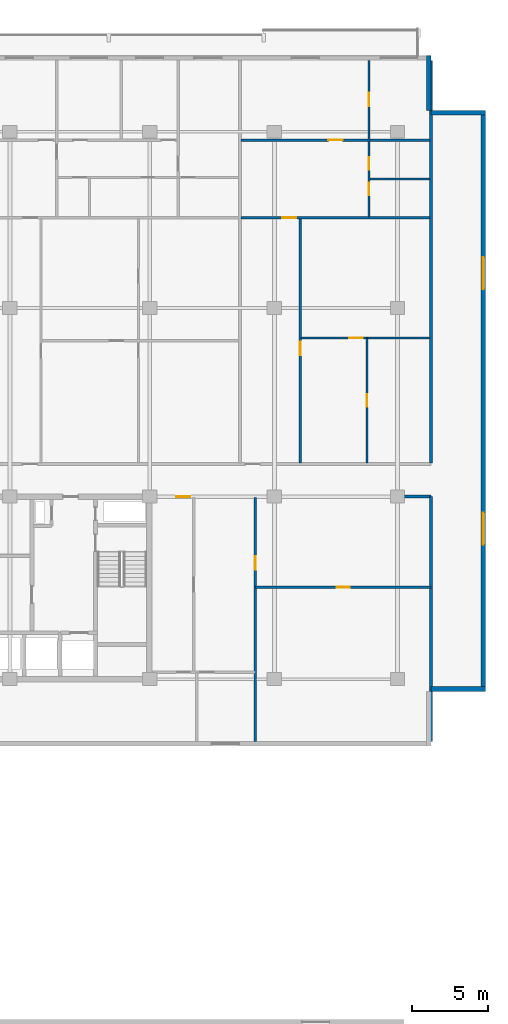
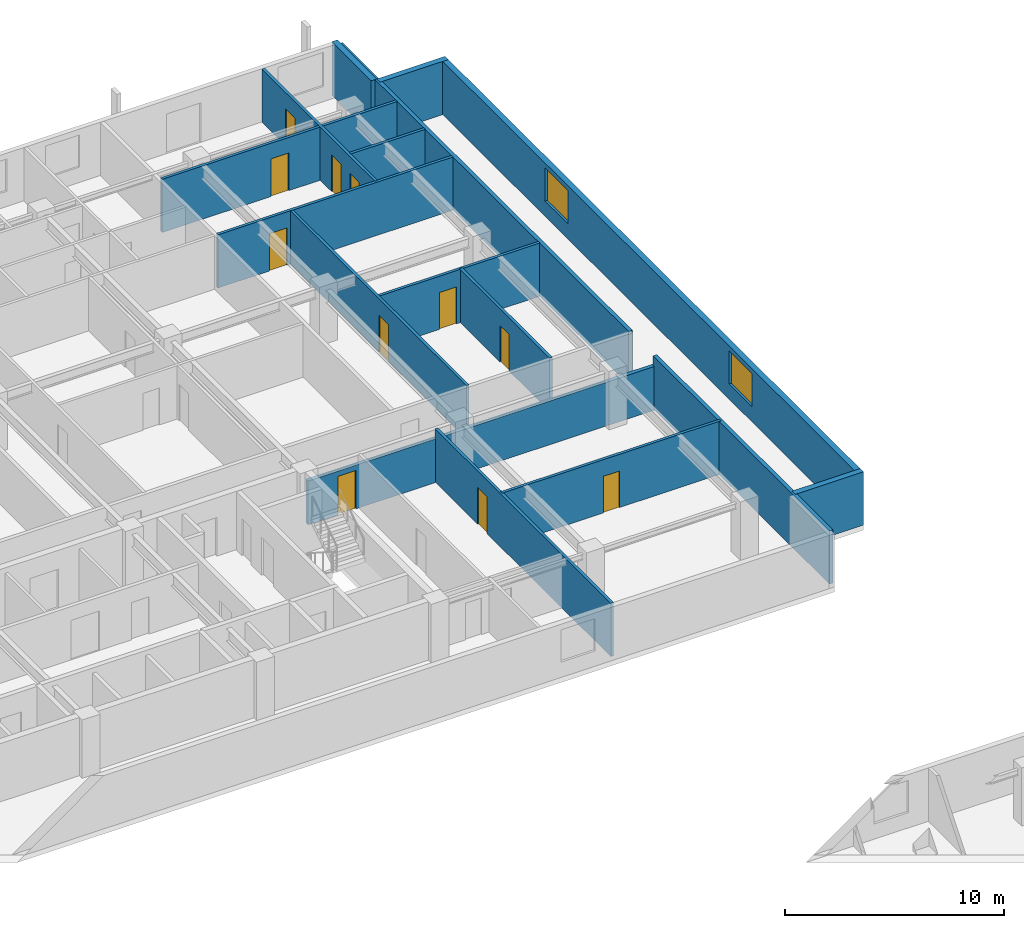
# One storey, part 16 of 22: 16 walls, 11 doors, 2 windows, 13 openings.
"""IFC4 building model written with IfcOpenShell, lengths in metres."""

from ifc_helpers import new_model, si_unit, direction, frame, frame_2d, origin, place, context, subcontext, project, spatial, rectangle, extrude, material, layer, layer_set, type_object, element, fill, save


model = new_model("IFC4")

# Units and contexts
model_context = context("Model", 3, precision=1e-05, world=origin(), true_north=direction((0.0, 1.0)))
body_context = subcontext(model_context, "Body", "Model", "MODEL_VIEW")
ifc_project = project(units=[si_unit("LENGTHUNIT", "METRE"), si_unit("AREAUNIT", "SQUARE_METRE"), si_unit("VOLUMEUNIT", "CUBIC_METRE"), si_unit("PLANEANGLEUNIT", "RADIAN"), si_unit("MASSUNIT", "GRAM", prefix="KILO")], contexts=[model_context])

# Site, building, storey
site_placement = place(None, origin())
site = spatial("IfcSite", under=ifc_project, at=site_placement, CompositionType="ELEMENT")
building_placement = place(site_placement, origin())
building = spatial("IfcBuilding", under=site, at=building_placement, Name="Korimba Cascade Residences", CompositionType="ELEMENT")
storey_placement = place(building_placement, frame((0.0, 0.0, 87.300048828125)))
storey = spatial("IfcBuildingStorey", under=building, at=storey_placement, Name="L24", CompositionType="ELEMENT", Elevation=87.300048828125)

# Wall
ifc_material_1 = material(Name="Precast concrete C40/50", Category="concrete")
ifc_layer_1 = layer(ifc_material_1, 0.300048828125)
ifc_layer_set_1 = layer_set([ifc_layer_1], Name="Precast concrete C40/50")
wall_type_1 = type_object("IfcWallType", Name="EW-STONE-300", PredefinedType="STANDARD", material=ifc_layer_set_1)
wall_1_placement = place(storey_placement, frame((130.60009765625, 54.550048828125, 0.0), z_axis=(0.0, 0.0, 1.0), x_axis=(1.0, 0.0, 0.0)))
element("IfcWall", 1, at=wall_1_placement, inside=storey, type_object=wall_type_1, Name="L24 T1 Perimeter Stone Wall E02", PredefinedType="STANDARD", context=body_context, shape_type="SweptSolid", body=[
    extrude(rectangle(XDim=3.599853515625, YDim=0.300048828125, at=frame_2d((1.7998046875, 0.0))), origin(), (0.0, 0.0, 1.0), 2.969970703125),
])

# Wall, openings, windows
wall_2_placement = place(storey_placement, frame((134.050048828125, 54.39990234375, 0.0), z_axis=(0.0, 0.0, 1.0), x_axis=(0.0, 1.0, 0.0)))
wall_2 = element("IfcWall", 2, at=wall_2_placement, inside=storey, type_object=wall_type_1, Name="L24 T1 Perimeter Stone Wall E03", PredefinedType="STANDARD", context=body_context, shape_type="SweptSolid", body=[
    extrude(rectangle(XDim=38.2001953125, YDim=0.300048828125, at=frame_2d((19.10009765625, 0.0))), origin(), (0.0, 0.0, 1.0), 2.969970703125),
])
opening_1_placement = place(wall_2_placement, frame((9.64599609375, 0.0, 0.85009765625)))
opening_1 = element("IfcOpeningElement", 3, at=opening_1_placement, cuts=wall_2, Name="Opening W-03", PredefinedType="OPENING", context=body_context, shape_type="SweptSolid", body=[
    extrude(rectangle(XDim=2.10009765625, YDim=1.85009765625, at=frame_2d((1.050048828125, 0.925048828125))), frame((0.0, 0.16015625, 0.0), z_axis=(0.0, -1.0, 0.0), x_axis=(1.0, 0.0, 0.0)), (0.0, 0.0, 1.0), 0.320068359375),
])
opening_2_placement = place(wall_2_placement, frame((26.4541015625, 0.0, 0.85009765625)))
opening_2 = element("IfcOpeningElement", 4, at=opening_2_placement, cuts=wall_2, Name="Opening W-03", PredefinedType="OPENING", context=body_context, shape_type="SweptSolid", body=[
    extrude(rectangle(XDim=2.10009765625, YDim=1.85009765625, at=frame_2d((1.050048828125, 0.925048828125))), frame((0.0, 0.16015625, 0.0), z_axis=(0.0, -1.0, 0.0), x_axis=(1.0, 0.0, 0.0)), (0.0, 0.0, 1.0), 0.320068359375),
])
ifc_material_2 = material(Name="Double-Glazed Aluminium Window", Category="aluminium")
window_type = type_object("IfcWindowType", Name="WIN-CRN-2100", PartitioningType="DOUBLE_PANEL_HORIZONTAL", PredefinedType="WINDOW", material=ifc_material_2)
window_1_placement = place(opening_1_placement, origin())
window_1 = element("IfcWindow", 5, at=window_1_placement, inside=storey, type_object=window_type, Name="L24 T1 End View Window 3.1", OverallHeight=1.85009765625, OverallWidth=2.10009765625, PartitioningType="DOUBLE_PANEL_HORIZONTAL", PredefinedType="WINDOW", context=body_context, shape_type="SweptSolid", body=[
    extrude(rectangle(XDim=2.10009765625, YDim=1.85009765625, at=frame_2d((1.050048828125, 0.925048828125))), frame((0.0, 0.030029296875, 0.0), z_axis=(0.0, -1.0, 0.0), x_axis=(1.0, 0.0, 0.0)), (0.0, 0.0, 1.0), 0.06005859375),
])
fill(opening_1, window_1)
window_2_placement = place(opening_2_placement, origin())
window_2 = element("IfcWindow", 6, at=window_2_placement, inside=storey, type_object=window_type, Name="L24 T1 End View Window 3.2", OverallHeight=1.85009765625, OverallWidth=2.10009765625, PartitioningType="DOUBLE_PANEL_HORIZONTAL", PredefinedType="WINDOW", context=body_context, shape_type="SweptSolid", body=[
    extrude(rectangle(XDim=2.10009765625, YDim=1.85009765625, at=frame_2d((1.050048828125, 0.925048828125))), frame((0.0, 0.030029296875, 0.0), z_axis=(0.0, -1.0, 0.0), x_axis=(1.0, 0.0, 0.0)), (0.0, 0.0, 1.0), 0.06005859375),
])
fill(opening_2, window_2)

# Walls
for number, where, z_axis, x_axis, name in (
    (7, (134.199951171875, 92.449951171875, 0.0), (0.0, 0.0, 1.0), (-1.0, 0.0, 0.0), "L24 T1 Perimeter Stone Wall E04"),
    (8, (130.449951171875, 92.60009765625, 0.0), (0.0, 0.0, 1.0), (0.0, 1.0, 0.0), "L24 T1 Perimeter Stone Wall E05"),
):
    element("IfcWall", number, at=place(storey_placement, frame(where, z_axis=z_axis, x_axis=x_axis)), inside=storey, type_object=wall_type_1, Name=name, PredefinedType="STANDARD", context=body_context, shape_type="SweptSolid", body=[
        extrude(rectangle(XDim=3.599853515625, YDim=0.300048828125, at=frame_2d((1.7998046875, 0.0))), origin(), (0.0, 0.0, 1.0), 2.969970703125),
    ])
ifc_layer_2 = layer(ifc_material_1, 0.199951171875)
ifc_layer_set_2 = layer_set([ifc_layer_2], Name="Precast concrete C40/50")
wall_type_2 = type_object("IfcWallType", Name="WAL-IT-200", PredefinedType="PARTITIONING", material=ifc_layer_set_2)
wall_3_placement = place(storey_placement, frame((130.60009765625, 51.10009765625, 0.0), z_axis=(0.0, 0.0, 1.0), x_axis=(0.0, 1.0, 0.0)))
element("IfcWall", 9, at=wall_3_placement, inside=storey, type_object=wall_type_2, Name="L24 Partition Wall WAL-L24-T1-FE-WR", PredefinedType="PARTITIONING", context=body_context, shape_type="SweptSolid", body=[
    extrude(rectangle(XDim=16.099853515625, YDim=0.199951171875, at=frame_2d((8.0498046875, 0.0))), origin(), (0.0, 0.0, 1.0), 2.969970703125),
])

# Wall, opening, door
wall_4_placement = place(storey_placement, frame((112.25, 67.199951171875, 0.0), z_axis=(0.0, 0.0, 1.0), x_axis=(1.0, 0.0, 0.0)))
wall_4 = element("IfcWall", 10, at=wall_4_placement, inside=storey, type_object=wall_type_2, Name="L24 Partition Wall WAL-L24-T1-FE-N", PredefinedType="PARTITIONING", context=body_context, shape_type="SweptSolid", body=[
    extrude(rectangle(XDim=18.35009765625, YDim=0.199951171875, at=frame_2d((9.175048828125, 0.0))), origin(), (0.0, 0.0, 1.0), 2.433349609375),
])
opening_3_placement = place(wall_4_placement, frame((1.580078125, 0.0, 0.0)))
opening_3 = element("IfcOpeningElement", 11, at=opening_3_placement, cuts=wall_4, Name="Opening D-UN1", PredefinedType="OPENING", context=body_context, shape_type="SweptSolid", body=[
    extrude(rectangle(XDim=0.949951171875, YDim=2.14990234375, at=frame_2d((0.47509765625, 1.074951171875))), frame((0.0, 0.10986328125, 0.0), z_axis=(0.0, -1.0, 0.0), x_axis=(1.0, 0.0, 0.0)), (0.0, 0.0, 1.0), 0.219970703125),
])
ifc_material_3 = material(Name="Fire-Rated Hardwood Apartment Entrance Door", Category="wood")
door_type_1 = type_object("IfcDoorType", Name="DR-FD60-950", OperationType="NOTDEFINED", PredefinedType="DOOR", material=ifc_material_3)
door_1_placement = place(opening_3_placement, origin())
door_1 = element("IfcDoor", 12, at=door_1_placement, inside=storey, type_object=door_type_1, Name="L24-T1-FE Entrance Door", OperationType="SINGLE_SWING_RIGHT", OverallHeight=2.14990234375, OverallWidth=0.949951171875, PredefinedType="DOOR", context=body_context, shape_type="SweptSolid", body=[
    extrude(rectangle(XDim=0.949951171875, YDim=2.14990234375, at=frame_2d((0.47509765625, 1.074951171875))), frame((0.0, 0.02490234375, 0.0), z_axis=(0.0, -1.0, 0.0), x_axis=(1.0, 0.0, 0.0)), (0.0, 0.0, 1.0), 0.050048828125),
])
fill(opening_3, door_1)

# Wall
wall_5_placement = place(storey_placement, frame((130.60009765625, 69.429931640625, 0.0), z_axis=(0.0, 0.0, 1.0), x_axis=(0.0, 1.0, 0.0)))
element("IfcWall", 13, at=wall_5_placement, inside=storey, type_object=wall_type_2, Name="L24 Partition Wall WAL-L24-T1-BNDWR", PredefinedType="PARTITIONING", context=body_context, shape_type="SweptSolid", body=[
    extrude(rectangle(XDim=26.469970703125, YDim=0.199951171875, at=frame_2d((13.23486328125, 0.0))), origin(), (0.0, 0.0, 1.0), 2.969970703125),
])

# Wall, opening, door
ifc_material_4 = material(Name="Insulated Acoustic Stud Partition", Category="gypsum")
ifc_layer_3 = layer(ifc_material_4, 0.14990234375)
ifc_layer_set_3 = layer_set([ifc_layer_3], Name="Insulated Acoustic Stud Partition")
wall_type_3 = type_object("IfcWallType", Name="WAL-PART-150", PredefinedType="PARTITIONING", material=ifc_layer_set_3)
wall_6_placement = place(storey_placement, frame((119.050048828125, 61.25, 0.0), z_axis=(0.0, 0.0, 1.0), x_axis=(1.0, 0.0, 0.0)))
wall_6 = element("IfcWall", 14, at=wall_6_placement, inside=storey, type_object=wall_type_3, Name="L24 Partition Wall WAL-L24-T1-FE-STH", PredefinedType="PARTITIONING", context=body_context, shape_type="SweptSolid", body=[
    extrude(rectangle(XDim=11.550048828125, YDim=0.14990234375, at=frame_2d((5.77490234375, 0.0))), origin(), (0.0, 0.0, 1.0), 2.969970703125),
])
opening_4_placement = place(wall_6_placement, frame((5.35498046875, 0.0, 0.0)))
opening_4 = element("IfcOpeningElement", 15, at=opening_4_placement, cuts=wall_6, Name="Opening D-BT1", PredefinedType="OPENING", context=body_context, shape_type="SweptSolid", body=[
    extrude(rectangle(XDim=0.840087890625, YDim=2.0400390625, at=frame_2d((0.419921875, 1.02001953125))), frame((0.0, 0.0849609375, 0.0), z_axis=(0.0, -1.0, 0.0), x_axis=(1.0, 0.0, 0.0)), (0.0, 0.0, 1.0), 0.169921875),
])
ifc_material_5 = material(Name="Moisture-Resistant Bathroom Timber Door", Category="wood")
door_type_2 = type_object("IfcDoorType", Name="DR-INT-850", OperationType="NOTDEFINED", PredefinedType="DOOR", material=ifc_material_5)
door_2_placement = place(opening_4_placement, origin())
door_2 = element("IfcDoor", 16, at=door_2_placement, inside=storey, type_object=door_type_2, Name="L24-T1-FE Dressing Store Door", OperationType="SINGLE_SWING_LEFT", OverallHeight=2.0400390625, OverallWidth=0.840087890625, PredefinedType="DOOR", context=body_context, shape_type="SweptSolid", body=[
    extrude(rectangle(XDim=0.840087890625, YDim=2.0400390625, at=frame_2d((0.419921875, 1.02001953125))), frame((0.0, 0.02490234375, 0.0), z_axis=(0.0, -1.0, 0.0), x_axis=(1.0, 0.0, 0.0)), (0.0, 0.0, 1.0), 0.050048828125),
])
fill(opening_4, door_2)

wall_7_placement = place(storey_placement, frame((119.050048828125, 51.10009765625, 0.0), z_axis=(0.0, 0.0, 1.0), x_axis=(0.0, 1.0, 0.0)))
wall_7 = element("IfcWall", 17, at=wall_7_placement, inside=storey, type_object=wall_type_3, Name="L24 Partition Wall WAL-L24-T1-FE-STV", PredefinedType="PARTITIONING", context=body_context, shape_type="SweptSolid", body=[
    extrude(rectangle(XDim=16.0498046875, YDim=0.14990234375, at=frame_2d((8.02490234375, 0.0))), origin(), (0.0, 0.0, 1.0), 2.969970703125),
])
opening_5_placement = place(wall_7_placement, frame((11.300048828125, 0.0, 0.0)))
opening_5 = element("IfcOpeningElement", 18, at=opening_5_placement, cuts=wall_7, Name="Opening D-IN2", PredefinedType="OPENING", context=body_context, shape_type="SweptSolid", body=[
    extrude(rectangle(XDim=0.8798828125, YDim=2.06005859375, at=frame_2d((0.43994140625, 1.030029296875))), frame((0.0, 0.0849609375, 0.0), z_axis=(0.0, -1.0, 0.0), x_axis=(1.0, 0.0, 0.0)), (0.0, 0.0, 1.0), 0.169921875),
])
ifc_material_6 = material(Name="Acoustic Timber Bedroom Door", Category="wood")
door_type_3 = type_object("IfcDoorType", Name="DR-INT-880", OperationType="NOTDEFINED", PredefinedType="DOOR", material=ifc_material_6)
door_3_placement = place(opening_5_placement, origin())
door_3 = element("IfcDoor", 19, at=door_3_placement, inside=storey, type_object=door_type_3, Name="L24-T1-FE Study Door", OperationType="SINGLE_SWING_RIGHT", OverallHeight=2.06005859375, OverallWidth=0.8798828125, PredefinedType="DOOR", context=body_context, shape_type="SweptSolid", body=[
    extrude(rectangle(XDim=0.8798828125, YDim=2.06005859375, at=frame_2d((0.43994140625, 1.030029296875))), frame((0.0, 0.02490234375, 0.0), z_axis=(0.0, -1.0, 0.0), x_axis=(1.0, 0.0, 0.0)), (0.0, 0.0, 1.0), 0.050048828125),
])
fill(opening_5, door_3)

wall_8_placement = place(storey_placement, frame((126.3916015625, 69.409912109375, 0.0), z_axis=(0.0, 0.0, 1.0), x_axis=(0.0, 1.0, 0.0)))
wall_8 = element("IfcWall", 20, at=wall_8_placement, inside=storey, type_object=wall_type_3, Name="L24 Partition Wall WAL-L24-T1-U05-FMV", PredefinedType="PARTITIONING", context=body_context, shape_type="SweptSolid", body=[
    extrude(rectangle(XDim=8.22998046875, YDim=0.14990234375, at=frame_2d((4.114990234375, 0.0))), origin(), (0.0, 0.0, 1.0), 2.969970703125),
])
opening_6_placement = place(wall_8_placement, frame((3.695068359375, 0.0, 0.0)))
opening_6 = element("IfcOpeningElement", 21, at=opening_6_placement, cuts=wall_8, Name="Opening D-BT1", PredefinedType="OPENING", context=body_context, shape_type="SweptSolid", body=[
    extrude(rectangle(XDim=0.840087890625, YDim=2.0400390625, at=frame_2d((0.419921875, 1.02001953125))), frame((0.0, 0.0849609375, 0.0), z_axis=(0.0, -1.0, 0.0), x_axis=(1.0, 0.0, 0.0)), (0.0, 0.0, 1.0), 0.169921875),
])
door_4_placement = place(opening_6_placement, origin())
door_4 = element("IfcDoor", 22, at=door_4_placement, inside=storey, type_object=door_type_2, Name="L24-T1-U05 Wardrobe Door", OperationType="SINGLE_SWING_LEFT", OverallHeight=2.0400390625, OverallWidth=0.840087890625, PredefinedType="DOOR", context=body_context, shape_type="SweptSolid", body=[
    extrude(rectangle(XDim=0.840087890625, YDim=2.0400390625, at=frame_2d((0.419921875, 1.02001953125))), frame((0.0, 0.02490234375, 0.0), z_axis=(0.0, -1.0, 0.0), x_axis=(1.0, 0.0, 0.0)), (0.0, 0.0, 1.0), 0.050048828125),
])
fill(opening_6, door_4)

wall_9_placement = place(storey_placement, frame((122.0634765625, 77.639892578125, 0.0), z_axis=(0.0, 0.0, 1.0), x_axis=(1.0, 0.0, 0.0)))
wall_9 = element("IfcWall", 23, at=wall_9_placement, inside=storey, type_object=wall_type_3, Name="L24 Partition Wall WAL-L24-T1-U05-FMH", PredefinedType="PARTITIONING", context=body_context, shape_type="SweptSolid", body=[
    extrude(rectangle(XDim=8.45654296875, YDim=0.14990234375, at=frame_2d((4.228271484375, 0.0))), origin(), (0.0, 0.0, 1.0), 2.969970703125),
])
opening_7_placement = place(wall_9_placement, frame((3.170654296875, 0.0, 0.0)))
opening_7 = element("IfcOpeningElement", 24, at=opening_7_placement, cuts=wall_9, Name="Opening D-IN2", PredefinedType="OPENING", context=body_context, shape_type="SweptSolid", body=[
    extrude(rectangle(XDim=0.8798828125, YDim=2.06005859375, at=frame_2d((0.43994140625, 1.030029296875))), frame((0.0, 0.0849609375, 0.0), z_axis=(0.0, -1.0, 0.0), x_axis=(1.0, 0.0, 0.0)), (0.0, 0.0, 1.0), 0.169921875),
])
door_5_placement = place(opening_7_placement, origin())
door_5 = element("IfcDoor", 25, at=door_5_placement, inside=storey, type_object=door_type_3, Name="L24-T1-U05 Library Salon Door", OperationType="SINGLE_SWING_RIGHT", OverallHeight=2.06005859375, OverallWidth=0.8798828125, PredefinedType="DOOR", context=body_context, shape_type="SweptSolid", body=[
    extrude(rectangle(XDim=0.8798828125, YDim=2.06005859375, at=frame_2d((0.43994140625, 1.030029296875))), frame((0.0, 0.02490234375, 0.0), z_axis=(0.0, -1.0, 0.0), x_axis=(1.0, 0.0, 0.0)), (0.0, 0.0, 1.0), 0.050048828125),
])
fill(opening_7, door_5)

wall_10_placement = place(storey_placement, frame((122.00341796875, 69.409912109375, 0.0), z_axis=(0.0, 0.0, 1.0), x_axis=(0.0, 1.0, 0.0)))
wall_10 = element("IfcWall", 26, at=wall_10_placement, inside=storey, type_object=wall_type_3, Name="L24 Partition Wall WAL-L24-T1-U05-FV", PredefinedType="PARTITIONING", context=body_context, shape_type="SweptSolid", body=[
    extrude(rectangle(XDim=16.10009765625, YDim=0.14990234375, at=frame_2d((8.050048828125, 0.0))), origin(), (0.0, 0.0, 1.0), 2.969970703125),
])
opening_8_placement = place(wall_10_placement, frame((7.10009765625, 0.0, 0.0)))
opening_8 = element("IfcOpeningElement", 27, at=opening_8_placement, cuts=wall_10, Name="Opening D-IN2", PredefinedType="OPENING", context=body_context, shape_type="SweptSolid", body=[
    extrude(rectangle(XDim=0.8798828125, YDim=2.06005859375, at=frame_2d((0.43994140625, 1.030029296875))), frame((0.0, 0.0849609375, 0.0), z_axis=(0.0, -1.0, 0.0), x_axis=(1.0, 0.0, 0.0)), (0.0, 0.0, 1.0), 0.169921875),
])
door_6_placement = place(opening_8_placement, origin())
door_6 = element("IfcDoor", 28, at=door_6_placement, inside=storey, type_object=door_type_3, Name="L24-T1-U05 Media Lounge Door", OperationType="SINGLE_SWING_LEFT", OverallHeight=2.06005859375, OverallWidth=0.8798828125, PredefinedType="DOOR", context=body_context, shape_type="SweptSolid", body=[
    extrude(rectangle(XDim=0.8798828125, YDim=2.06005859375, at=frame_2d((0.43994140625, 1.030029296875))), frame((0.0, 0.02490234375, 0.0), z_axis=(0.0, -1.0, 0.0), x_axis=(1.0, 0.0, 0.0)), (0.0, 0.0, 1.0), 0.050048828125),
])
fill(opening_8, door_6)

# Wall
wall_11_placement = place(storey_placement, frame((126.580078125, 88.090087890625, 0.0), z_axis=(0.0, 0.0, 1.0), x_axis=(1.0, 0.0, 0.0)))
element("IfcWall", 29, at=wall_11_placement, inside=storey, type_object=wall_type_3, Name="L24 Partition Wall WAL-L24-T1-U05-BLDIV", PredefinedType="PARTITIONING", context=body_context, shape_type="SweptSolid", body=[
    extrude(rectangle(XDim=3.93994140625, YDim=0.14990234375, at=frame_2d((1.969970703125, 0.0))), origin(), (0.0, 0.0, 1.0), 2.969970703125),
])

# Wall, openings, doors
wall_12_placement = place(storey_placement, frame((126.52001953125, 85.590087890625, 0.0), z_axis=(0.0, 0.0, 1.0), x_axis=(0.0, 1.0, 0.0)))
wall_12 = element("IfcWall", 30, at=wall_12_placement, inside=storey, type_object=wall_type_3, Name="L24 Partition Wall WAL-L24-T1-U05-V1", PredefinedType="PARTITIONING", context=body_context, shape_type="SweptSolid", body=[
    extrude(rectangle(XDim=10.309814453125, YDim=0.14990234375, at=frame_2d((5.15478515625, 0.0))), origin(), (0.0, 0.0, 1.0), 2.969970703125),
])
opening_9_placement = place(wall_12_placement, frame((1.430419921875, 0.0, 0.0)))
opening_9 = element("IfcOpeningElement", 31, at=opening_9_placement, cuts=wall_12, Name="Opening D-BT1", PredefinedType="OPENING", context=body_context, shape_type="SweptSolid", body=[
    extrude(rectangle(XDim=0.840087890625, YDim=2.0400390625, at=frame_2d((0.419921875, 1.02001953125))), frame((0.0, 0.0849609375, 0.0), z_axis=(0.0, -1.0, 0.0), x_axis=(1.0, 0.0, 0.0)), (0.0, 0.0, 1.0), 0.169921875),
])
opening_10_placement = place(wall_12_placement, frame((3.1015625, 0.0, 0.0)))
opening_10 = element("IfcOpeningElement", 32, at=opening_10_placement, cuts=wall_12, Name="Opening D-BT1", PredefinedType="OPENING", context=body_context, shape_type="SweptSolid", body=[
    extrude(rectangle(XDim=0.840087890625, YDim=2.0400390625, at=frame_2d((0.419921875, 1.02001953125))), frame((0.0, 0.0849609375, 0.0), z_axis=(0.0, -1.0, 0.0), x_axis=(1.0, 0.0, 0.0)), (0.0, 0.0, 1.0), 0.169921875),
])
opening_11_placement = place(wall_12_placement, frame((7.28955078125, 0.0, 0.0)))
opening_11 = element("IfcOpeningElement", 33, at=opening_11_placement, cuts=wall_12, Name="Opening D-IN2", PredefinedType="OPENING", context=body_context, shape_type="SweptSolid", body=[
    extrude(rectangle(XDim=0.8798828125, YDim=2.06005859375, at=frame_2d((0.43994140625, 1.030029296875))), frame((0.0, 0.0849609375, 0.0), z_axis=(0.0, -1.0, 0.0), x_axis=(1.0, 0.0, 0.0)), (0.0, 0.0, 1.0), 0.169921875),
])
door_7_placement = place(opening_9_placement, origin())
door_7 = element("IfcDoor", 34, at=door_7_placement, inside=storey, type_object=door_type_2, Name="L24-T1-U05 Bathroom Door", OperationType="SINGLE_SWING_RIGHT", OverallHeight=2.0400390625, OverallWidth=0.840087890625, PredefinedType="DOOR", context=body_context, shape_type="SweptSolid", body=[
    extrude(rectangle(XDim=0.840087890625, YDim=2.0400390625, at=frame_2d((0.419921875, 1.02001953125))), frame((0.0, 0.02490234375, 0.0), z_axis=(0.0, -1.0, 0.0), x_axis=(1.0, 0.0, 0.0)), (0.0, 0.0, 1.0), 0.050048828125),
])
fill(opening_9, door_7)
door_8_placement = place(opening_10_placement, origin())
door_8 = element("IfcDoor", 35, at=door_8_placement, inside=storey, type_object=door_type_2, Name="L24-T1-U05 Laundry Door", OperationType="SINGLE_SWING_LEFT", OverallHeight=2.0400390625, OverallWidth=0.840087890625, PredefinedType="DOOR", context=body_context, shape_type="SweptSolid", body=[
    extrude(rectangle(XDim=0.840087890625, YDim=2.0400390625, at=frame_2d((0.419921875, 1.02001953125))), frame((0.0, 0.02490234375, 0.0), z_axis=(0.0, -1.0, 0.0), x_axis=(1.0, 0.0, 0.0)), (0.0, 0.0, 1.0), 0.050048828125),
])
fill(opening_10, door_8)
door_9_placement = place(opening_11_placement, origin())
door_9 = element("IfcDoor", 36, at=door_9_placement, inside=storey, type_object=door_type_3, Name="L24-T1-U05 Bedroom 1 Door", OperationType="SINGLE_SWING_RIGHT", OverallHeight=2.06005859375, OverallWidth=0.8798828125, PredefinedType="DOOR", context=body_context, shape_type="SweptSolid", body=[
    extrude(rectangle(XDim=0.8798828125, YDim=2.06005859375, at=frame_2d((0.43994140625, 1.030029296875))), frame((0.0, 0.02490234375, 0.0), z_axis=(0.0, -1.0, 0.0), x_axis=(1.0, 0.0, 0.0)), (0.0, 0.0, 1.0), 0.050048828125),
])
fill(opening_11, door_9)

# Wall, opening, door
wall_13_placement = place(storey_placement, frame((118.11328125, 85.550048828125, 0.0), z_axis=(0.0, 0.0, 1.0), x_axis=(1.0, 0.0, 0.0)))
wall_13 = element("IfcWall", 37, at=wall_13_placement, inside=storey, type_object=wall_type_3, Name="L24 Partition Wall WAL-L24-T1-U05-MW", PredefinedType="PARTITIONING", context=body_context, shape_type="SweptSolid", body=[
    extrude(rectangle(XDim=12.40673828125, YDim=0.14990234375, at=frame_2d((6.203369140625, 0.0))), origin(), (0.0, 0.0, 1.0), 2.969970703125),
])
opening_12_placement = place(wall_13_placement, frame((2.719970703125, 0.0, 0.0)))
opening_12 = element("IfcOpeningElement", 38, at=opening_12_placement, cuts=wall_13, Name="Opening D-IN1", PredefinedType="OPENING", context=body_context, shape_type="SweptSolid", body=[
    extrude(rectangle(XDim=0.919921875, YDim=2.080078125, at=frame_2d((0.4599609375, 1.0400390625))), frame((0.0, 0.0849609375, 0.0), z_axis=(0.0, -1.0, 0.0), x_axis=(1.0, 0.0, 0.0)), (0.0, 0.0, 1.0), 0.169921875),
])
ifc_material_7 = material(Name="Acoustic Timber Living Door", Category="wood")
door_type_4 = type_object("IfcDoorType", Name="DR-INT-920", OperationType="NOTDEFINED", PredefinedType="DOOR", material=ifc_material_7)
door_10_placement = place(opening_12_placement, origin())
door_10 = element("IfcDoor", 39, at=door_10_placement, inside=storey, type_object=door_type_4, Name="L24-T1-U05 Kitchen Archway Door", OperationType="SINGLE_SWING_LEFT", OverallHeight=2.080078125, OverallWidth=0.919921875, PredefinedType="DOOR", context=body_context, shape_type="SweptSolid", body=[
    extrude(rectangle(XDim=0.919921875, YDim=2.080078125, at=frame_2d((0.4599609375, 1.0400390625))), frame((0.0, 0.02490234375, 0.0), z_axis=(0.0, -1.0, 0.0), x_axis=(1.0, 0.0, 0.0)), (0.0, 0.0, 1.0), 0.050048828125),
])
fill(opening_12, door_10)

wall_14_placement = place(storey_placement, frame((118.11328125, 90.64990234375, 0.0), z_axis=(0.0, 0.0, 1.0), x_axis=(1.0, 0.0, 0.0)))
wall_14 = element("IfcWall", 40, at=wall_14_placement, inside=storey, type_object=wall_type_3, Name="L24 Partition Wall WAL-L24-T1-U05-HZ", PredefinedType="PARTITIONING", context=body_context, shape_type="SweptSolid", body=[
    extrude(rectangle(XDim=12.40673828125, YDim=0.14990234375, at=frame_2d((6.203369140625, 0.0))), origin(), (0.0, 0.0, 1.0), 2.969970703125),
])
opening_13_placement = place(wall_14_placement, frame((5.7333984375, 0.0, 0.0)))
opening_13 = element("IfcOpeningElement", 41, at=opening_13_placement, cuts=wall_14, Name="Opening D-IN0", PredefinedType="OPENING", context=body_context, shape_type="SweptSolid", body=[
    extrude(rectangle(XDim=0.93994140625, YDim=2.10009765625, at=frame_2d((0.469970703125, 1.050048828125))), frame((0.0, 0.0849609375, 0.0), z_axis=(0.0, -1.0, 0.0), x_axis=(1.0, 0.0, 0.0)), (0.0, 0.0, 1.0), 0.169921875),
])
ifc_material_8 = material(Name="Acoustic Timber Living Archway Door", Category="wood")
door_type_5 = type_object("IfcDoorType", Name="DR-INT-950", OperationType="NOTDEFINED", PredefinedType="DOOR", material=ifc_material_8)
door_11_placement = place(opening_13_placement, origin())
door_11 = element("IfcDoor", 42, at=door_11_placement, inside=storey, type_object=door_type_5, Name="L24-T1-U05 Living Archway Door", OperationType="SINGLE_SWING_RIGHT", OverallHeight=2.10009765625, OverallWidth=0.93994140625, PredefinedType="DOOR", context=body_context, shape_type="SweptSolid", body=[
    extrude(rectangle(XDim=0.93994140625, YDim=2.10009765625, at=frame_2d((0.469970703125, 1.050048828125))), frame((0.0, 0.02490234375, 0.0), z_axis=(0.0, -1.0, 0.0), x_axis=(1.0, 0.0, 0.0)), (0.0, 0.0, 1.0), 0.050048828125),
])
fill(opening_13, door_11)

save(model, "model.ifc")
